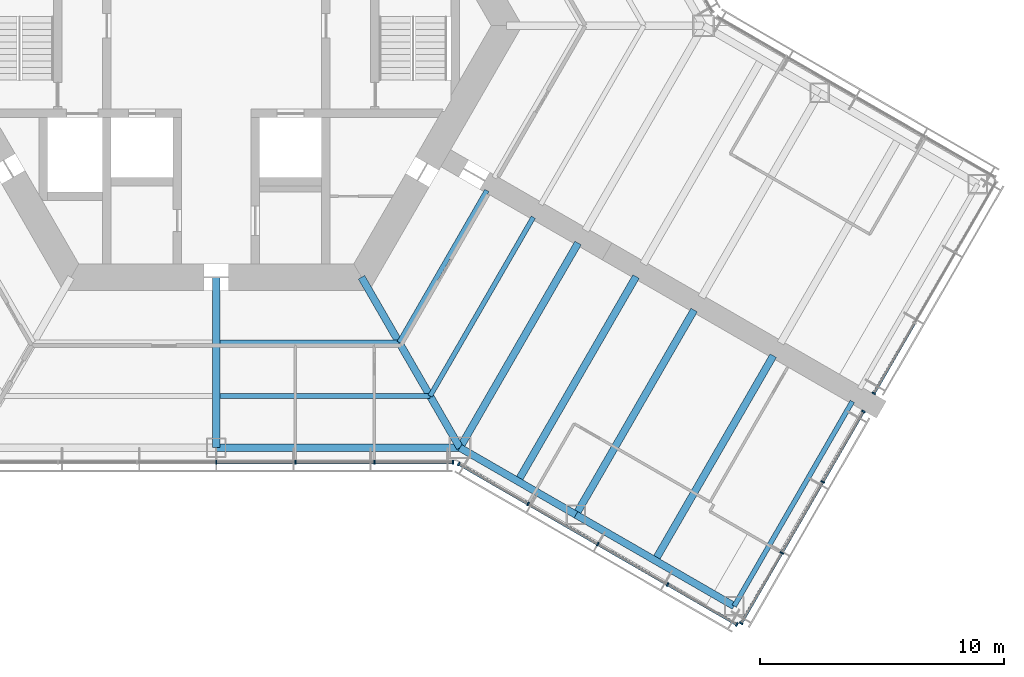
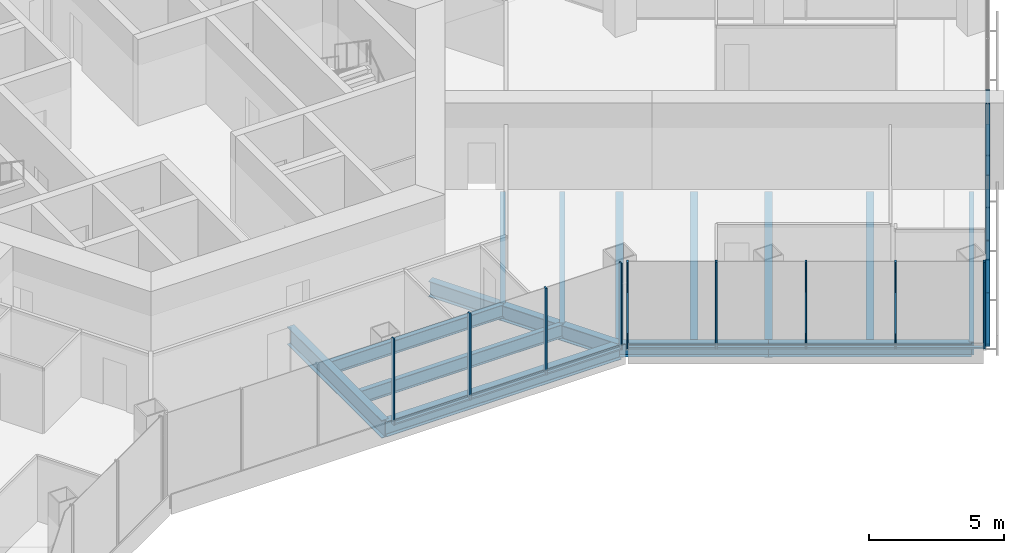
# One storey, part 5 of 18: 25 members, 14 beams, 4 elements without a shape of their own.
"""IFC4 building model written with IfcOpenShell, lengths in metres."""

from ifc_helpers import new_model, si_unit, direction, frame, origin, origin_2d, place, context, subcontext, project, spatial, rectangle, i_section, extrude, material, material_profile, profile_set, type_object, element, aggregate, save


model = new_model("IFC4")

# Units and contexts
model_context = context("Model", 3, precision=1e-05, world=origin(), true_north=direction((0.0, 1.0)))
body_context = subcontext(model_context, "Body", "Model", "MODEL_VIEW")
ifc_project = project(units=[si_unit("LENGTHUNIT", "METRE"), si_unit("AREAUNIT", "SQUARE_METRE"), si_unit("VOLUMEUNIT", "CUBIC_METRE"), si_unit("PLANEANGLEUNIT", "RADIAN"), si_unit("MASSUNIT", "GRAM", prefix="KILO")], contexts=[model_context])

# Site, building, storey
site_placement = place(None, origin())
site = spatial("IfcSite", under=ifc_project, at=site_placement, CompositionType="ELEMENT")
building_placement = place(site_placement, origin())
building = spatial("IfcBuilding", under=site, at=building_placement, Name="Kasaneha Research Tower", CompositionType="ELEMENT")
storey_placement = place(building_placement, frame((0.0, 0.0, 108.0)))
storey = spatial("IfcBuildingStorey", under=building, at=storey_placement, Name="L27", CompositionType="ELEMENT", Elevation=108.0)

# Beams
ifc_material_1 = material(Name="Steel SN490B", Category="steel")
ifc_material_profile_1 = material_profile(ifc_material_1, i_section(OverallWidth=0.199951171875, OverallDepth=0.60009765625, WebThickness=0.010986328125, FlangeThickness=0.01708984375, FilletRadius=0.012939453125, at=origin_2d()), Name="H-600x200x11x17")
ifc_profile_set_1 = profile_set([ifc_material_profile_1], Name="Steel SN490B")
beam_type_1 = type_object("IfcBeamType", Name="B1-3 secondary beam H-600x200x11x17", PredefinedType="JOIST", material=ifc_profile_set_1)
beam_1_placement = place(storey_placement, frame((7.505615234375, -13.0, -0.449951171875), z_axis=(-1.0, 0.0, 0.0), x_axis=(0.0, -1.0, 0.0)))
element("IfcBeam", 1, at=beam_1_placement, inside=storey, type_object=beam_type_1, Name="Secondary beam RS270R1 L27", PredefinedType="JOIST", context=body_context, shape_type="SweptSolid", body=[
    extrude(i_section(OverallWidth=0.199951171875, OverallDepth=0.60009765625, WebThickness=0.010986328125, FlangeThickness=0.01708984375, FilletRadius=0.012939453125, at=origin_2d()), origin(), (0.0, 0.0, 1.0), 7.355712890625),
])
beam_2_placement = place(storey_placement, frame((8.775634765625, -15.199951171875, -0.449951171875), z_axis=(-1.0, 0.0, 0.0), x_axis=(0.0, -1.0, 0.0)))
element("IfcBeam", 2, at=beam_2_placement, inside=storey, type_object=beam_type_1, Name="Secondary beam RS270R2 L27", PredefinedType="JOIST", context=body_context, shape_type="SweptSolid", body=[
    extrude(i_section(OverallWidth=0.199951171875, OverallDepth=0.60009765625, WebThickness=0.010986328125, FlangeThickness=0.01708984375, FilletRadius=0.012939453125, at=origin_2d()), origin(), (0.0, 0.0, 1.0), 8.625732421875),
])
beam_3_placement = place(storey_placement, frame((7.505615234375, -13.0, -0.449951171875), z_axis=(0.499998147991, 0.86602647304, 0.0), x_axis=(-0.86602647304, 0.499998147991, 0.0)))
element("IfcBeam", 3, at=beam_3_placement, inside=storey, type_object=beam_type_1, Name="Secondary beam RS330L1 L27", PredefinedType="JOIST", context=body_context, shape_type="SweptSolid", body=[
    extrude(i_section(OverallWidth=0.199951171875, OverallDepth=0.60009765625, WebThickness=0.010986328125, FlangeThickness=0.01708984375, FilletRadius=0.012939453125, at=origin_2d()), origin(), (0.0, 0.0, 1.0), 7.20556640625),
])
beam_4_placement = place(storey_placement, frame((8.775634765625, -15.199951171875, -0.449951171875), z_axis=(0.500020829043, 0.866013377797, 0.0), x_axis=(-0.866013377797, 0.500020829043, 0.0)))
element("IfcBeam", 4, at=beam_4_placement, inside=storey, type_object=beam_type_1, Name="Secondary beam RS330L2 L27", PredefinedType="JOIST", context=body_context, shape_type="SweptSolid", body=[
    extrude(i_section(OverallWidth=0.199951171875, OverallDepth=0.60009765625, WebThickness=0.010986328125, FlangeThickness=0.01708984375, FilletRadius=0.012939453125, at=origin_2d()), origin(), (0.0, 0.0, 1.0), 8.475830078125),
])
ifc_material_2 = material(Name="Steel SN490B", Category="steel")
ifc_material_profile_2 = material_profile(ifc_material_2, i_section(OverallWidth=0.300048828125, OverallDepth=0.58203125, WebThickness=0.011962890625, FlangeThickness=0.01708984375, FilletRadius=0.012939453125, at=origin_2d()), Name="H-582x300x12x17")
ifc_profile_set_2 = profile_set([ifc_material_profile_2], Name="Steel SN490B")
beam_type_2 = type_object("IfcBeamType", Name="B2-3 secondary beam H-582x300x12x17", PredefinedType="JOIST", material=ifc_profile_set_2)
for number, where, z_axis, x_axis, name in (
    (5, (12.381591796875, -18.695556640625, -0.44091796875), (0.500010041276, 0.866019606374, 0.0), (-0.866019606374, 0.500010041276, 0.0), "Secondary beam WBCP1 L27"),
    (6, (18.0107421875, -21.945556640625, -0.44091796875), (0.500010041276, 0.866019606374, 0.0), (-0.866019606374, 0.500010041276, 0.0), "Secondary beam WBCP2 L27"),
):
    element("IfcBeam", number, at=place(storey_placement, frame(where, z_axis=z_axis, x_axis=x_axis)), inside=storey, type_object=beam_type_2, Name=name, PredefinedType="JOIST", context=body_context, shape_type="SweptSolid", body=[
        extrude(i_section(OverallWidth=0.300048828125, OverallDepth=0.58203125, WebThickness=0.011962890625, FlangeThickness=0.01708984375, FilletRadius=0.012939453125, at=origin_2d()), origin(), (0.0, 0.0, 1.0), 9.699951171875),
    ])

# Curtain wall, members
ifc_material_3 = material(Name="Glass and aluminium", Category="aluminium")
curtain_wall_type = type_object("IfcCurtainWallType", Name="Low-rise office curtain wall", PredefinedType="USERDEFINED", material=ifc_material_3)
curtain_wall_1_placement = place(storey_placement, origin())
curtain_wall_1 = element("IfcCurtainWall", 7, at=curtain_wall_1_placement, inside=storey, type_object=curtain_wall_type, Name="CW-O1 L27 run 02a", ObjectType="UNITISED CURTAIN WALL", PredefinedType="USERDEFINED")
ifc_material_4 = material(Name="Aluminium 6063-T6", Category="aluminium")
ifc_material_profile_3 = material_profile(ifc_material_4, rectangle(XDim=0.06005859375, YDim=0.159912109375, at=origin_2d()), Name="CW-O1 mullion 60x160")
ifc_profile_set_3 = profile_set([ifc_material_profile_3], Name="Aluminium 6063-T6")
member_type_1 = type_object("IfcMemberType", Name="CW-O1 mullion", PredefinedType="MULLION", material=ifc_profile_set_3)
member_1_placement = place(storey_placement, frame((0.0, -17.92041015625, 0.0), z_axis=(0.0, 0.0, 1.0), x_axis=(1.0, 0.0, 0.0)))
member_1 = element("IfcMember", 8, at=member_1_placement, type_object=member_type_1, Name="CW-O1 mullion 4", PredefinedType="MULLION", context=body_context, shape_type="SweptSolid", body=[
    extrude(rectangle(XDim=0.06005859375, YDim=0.159912109375, at=origin_2d()), origin(), (0.0, 0.0, 1.0), 3.89990234375),
])
member_2_placement = place(storey_placement, frame((3.246337890625, -17.92041015625, 0.0), z_axis=(0.0, 0.0, 1.0), x_axis=(1.0, 0.0, 0.0)))
member_2 = element("IfcMember", 9, at=member_2_placement, type_object=member_type_1, Name="CW-O1 mullion 5", PredefinedType="MULLION", context=body_context, shape_type="SweptSolid", body=[
    extrude(rectangle(XDim=0.06005859375, YDim=0.159912109375, at=origin_2d()), origin(), (0.0, 0.0, 1.0), 3.89990234375),
])
member_3_placement = place(storey_placement, frame((6.492919921875, -17.92041015625, 0.0), z_axis=(0.0, 0.0, 1.0), x_axis=(1.0, 0.0, 0.0)))
member_3 = element("IfcMember", 10, at=member_3_placement, type_object=member_type_1, Name="CW-O1 mullion 6", PredefinedType="MULLION", context=body_context, shape_type="SweptSolid", body=[
    extrude(rectangle(XDim=0.06005859375, YDim=0.159912109375, at=origin_2d()), origin(), (0.0, 0.0, 1.0), 3.89990234375),
])
member_4_placement = place(storey_placement, frame((9.709228515625, -17.92041015625, 0.0), z_axis=(0.0, 0.0, 1.0), x_axis=(1.0, 0.0, 0.0)))
member_4 = element("IfcMember", 11, at=member_4_placement, type_object=member_type_1, Name="CW-O1 mullion 7", PredefinedType="MULLION", context=body_context, shape_type="SweptSolid", body=[
    extrude(rectangle(XDim=0.06005859375, YDim=0.159912109375, at=origin_2d()), origin(), (0.0, 0.0, 1.0), 3.89990234375),
])

curtain_wall_2_placement = place(storey_placement, origin())
curtain_wall_2 = element("IfcCurtainWall", 12, at=curtain_wall_2_placement, inside=storey, type_object=curtain_wall_type, Name="CW-O1 L27 run 03a", ObjectType="UNITISED CURTAIN WALL", PredefinedType="USERDEFINED")
member_5_placement = place(storey_placement, frame((9.951904296875, -17.985595703125, 0.0), z_axis=(0.0, 0.0, 1.0), x_axis=(0.866025411464, -0.499999986699, 0.0)))
member_5 = element("IfcMember", 13, at=member_5_placement, type_object=member_type_1, Name="CW-O1 mullion 1", PredefinedType="MULLION", context=body_context, shape_type="SweptSolid", body=[
    extrude(rectangle(XDim=0.06005859375, YDim=0.159912109375, at=origin_2d()), origin(), (0.0, 0.0, 1.0), 3.89990234375),
])
member_6_placement = place(storey_placement, frame((12.792236328125, -19.62548828125, 0.0), z_axis=(0.0, 0.0, 1.0), x_axis=(0.866025411464, -0.499999986699, 0.0)))
member_6 = element("IfcMember", 14, at=member_6_placement, type_object=member_type_1, Name="CW-O1 mullion 2", PredefinedType="MULLION", context=body_context, shape_type="SweptSolid", body=[
    extrude(rectangle(XDim=0.06005859375, YDim=0.159912109375, at=origin_2d()), origin(), (0.0, 0.0, 1.0), 3.89990234375),
])
member_7_placement = place(storey_placement, frame((15.65869140625, -21.2802734375, 0.0), z_axis=(0.0, 0.0, 1.0), x_axis=(0.866025411464, -0.499999986699, 0.0)))
member_7 = element("IfcMember", 15, at=member_7_placement, type_object=member_type_1, Name="CW-O1 mullion 3", PredefinedType="MULLION", context=body_context, shape_type="SweptSolid", body=[
    extrude(rectangle(XDim=0.06005859375, YDim=0.159912109375, at=origin_2d()), origin(), (0.0, 0.0, 1.0), 3.89990234375),
])
member_8_placement = place(storey_placement, frame((18.52490234375, -22.935302734375, 0.0), z_axis=(0.0, 0.0, 1.0), x_axis=(0.866025411464, -0.499999986699, 0.0)))
member_8 = element("IfcMember", 16, at=member_8_placement, type_object=member_type_1, Name="CW-O1 mullion 4", PredefinedType="MULLION", context=body_context, shape_type="SweptSolid", body=[
    extrude(rectangle(XDim=0.06005859375, YDim=0.159912109375, at=origin_2d()), origin(), (0.0, 0.0, 1.0), 3.89990234375),
])
member_9_placement = place(storey_placement, frame((21.365478515625, -24.5751953125, 0.0), z_axis=(0.0, 0.0, 1.0), x_axis=(0.866025411464, -0.499999986699, 0.0)))
member_9 = element("IfcMember", 17, at=member_9_placement, type_object=member_type_1, Name="CW-O1 mullion 5", PredefinedType="MULLION", context=body_context, shape_type="SweptSolid", body=[
    extrude(rectangle(XDim=0.06005859375, YDim=0.159912109375, at=origin_2d()), origin(), (0.0, 0.0, 1.0), 3.89990234375),
])

curtain_wall_3_placement = place(storey_placement, origin())
curtain_wall_3 = element("IfcCurtainWall", 18, at=curtain_wall_3_placement, inside=storey, type_object=curtain_wall_type, Name="CW-O1 L27 run 04a", ObjectType="UNITISED CURTAIN WALL", PredefinedType="USERDEFINED")
member_10_placement = place(storey_placement, frame((21.54296875, -24.527587890625, 0.0), z_axis=(0.0, 0.0, 1.0), x_axis=(0.500000011442, 0.866025397178, 0.0)))
member_10 = element("IfcMember", 19, at=member_10_placement, type_object=member_type_1, Name="CW-O1 mullion 1", PredefinedType="MULLION", context=body_context, shape_type="SweptSolid", body=[
    extrude(rectangle(XDim=0.06005859375, YDim=0.159912109375, at=origin_2d()), origin(), (0.0, 0.0, 1.0), 3.89990234375),
])
member_11_placement = place(storey_placement, frame((23.211181640625, -21.637939453125, 0.0), z_axis=(0.0, 0.0, 1.0), x_axis=(0.500000011442, 0.866025397178, 0.0)))
member_11 = element("IfcMember", 20, at=member_11_placement, type_object=member_type_1, Name="CW-O1 mullion 2", PredefinedType="MULLION", context=body_context, shape_type="SweptSolid", body=[
    extrude(rectangle(XDim=0.06005859375, YDim=0.159912109375, at=origin_2d()), origin(), (0.0, 0.0, 1.0), 3.89990234375),
])
member_12_placement = place(storey_placement, frame((24.89453125, -18.72216796875, 0.0), z_axis=(0.0, 0.0, 1.0), x_axis=(0.500000011442, 0.866025397178, 0.0)))
member_12 = element("IfcMember", 21, at=member_12_placement, type_object=member_type_1, Name="CW-O1 mullion 3", PredefinedType="MULLION", context=body_context, shape_type="SweptSolid", body=[
    extrude(rectangle(XDim=0.06005859375, YDim=0.159912109375, at=origin_2d()), origin(), (0.0, 0.0, 1.0), 3.89990234375),
])
member_13_placement = place(storey_placement, frame((26.56298828125, -15.832763671875, 0.0), z_axis=(0.0, 0.0, 1.0), x_axis=(0.500000011442, 0.866025397178, 0.0)))
member_13 = element("IfcMember", 22, at=member_13_placement, type_object=member_type_1, Name="CW-O1 mullion 4", PredefinedType="MULLION", context=body_context, shape_type="SweptSolid", body=[
    extrude(rectangle(XDim=0.06005859375, YDim=0.159912109375, at=origin_2d()), origin(), (0.0, 0.0, 1.0), 3.89990234375),
])

# Curtain wall, member
curtain_wall_4_placement = place(storey_placement, origin())
curtain_wall_4 = element("IfcCurtainWall", 23, at=curtain_wall_4_placement, inside=storey, type_object=curtain_wall_type, Name="CW-O1 L27 run 05a", ObjectType="UNITISED CURTAIN WALL", PredefinedType="USERDEFINED")
member_14_placement = place(storey_placement, frame((26.992919921875, -15.087890625, 0.0), z_axis=(0.0, 0.0, 1.0), x_axis=(0.500000011442, 0.866025397178, 0.0)))
member_14 = element("IfcMember", 24, at=member_14_placement, type_object=member_type_1, Name="CW-O1 mullion 1", PredefinedType="MULLION", context=body_context, shape_type="SweptSolid", body=[
    extrude(rectangle(XDim=0.06005859375, YDim=0.159912109375, at=origin_2d()), origin(), (0.0, 0.0, 1.0), 3.89990234375),
])

# Member
ifc_material_5 = material(Name="Aluminium 6063-T6", Category="aluminium")
ifc_material_profile_4 = material_profile(ifc_material_5, rectangle(XDim=0.1201171875, YDim=0.06005859375, at=origin_2d()), Name="CW-O1 transom 120x60")
ifc_profile_set_4 = profile_set([ifc_material_profile_4], Name="Aluminium 6063-T6")
member_type_2 = type_object("IfcMemberType", Name="CW-O1 transom", PredefinedType="USERDEFINED", material=ifc_profile_set_4)
member_15_placement = place(storey_placement, frame((0.030029296875, -17.92041015625, 0.030029296875), z_axis=(1.0, 0.0, 0.0), x_axis=(0.0, 1.0, 0.0)))
member_15 = element("IfcMember", 25, at=member_15_placement, type_object=member_type_2, Name="CW-O1 transom 4", ObjectType="TRANSOM", PredefinedType="USERDEFINED", context=body_context, shape_type="SweptSolid", body=[
    extrude(rectangle(XDim=0.1201171875, YDim=0.06005859375, at=origin_2d()), origin(), (0.0, 0.0, 1.0), 3.186279296875),
])

member_16_placement = place(storey_placement, frame((3.2763671875, -17.92041015625, 0.030029296875), z_axis=(1.0, 0.0, 0.0), x_axis=(0.0, 1.0, 0.0)))
member_16 = element("IfcMember", 26, at=member_16_placement, type_object=member_type_2, Name="CW-O1 transom 5", ObjectType="TRANSOM", PredefinedType="USERDEFINED", context=body_context, shape_type="SweptSolid", body=[
    extrude(rectangle(XDim=0.1201171875, YDim=0.06005859375, at=origin_2d()), origin(), (0.0, 0.0, 1.0), 3.1865234375),
])

member_17_placement = place(storey_placement, frame((6.522705078125, -17.92041015625, 0.030029296875), z_axis=(1.0, 0.0, 0.0), x_axis=(0.0, 1.0, 0.0)))
member_17 = element("IfcMember", 27, at=member_17_placement, type_object=member_type_2, Name="CW-O1 transom 6", ObjectType="TRANSOM", PredefinedType="USERDEFINED", context=body_context, shape_type="SweptSolid", body=[
    extrude(rectangle(XDim=0.1201171875, YDim=0.06005859375, at=origin_2d()), origin(), (0.0, 0.0, 1.0), 3.156494140625),
])

aggregate(curtain_wall_1, [member_1, member_2, member_3, member_4, member_15, member_16, member_17])

member_18_placement = place(storey_placement, frame((9.977783203125, -18.00048828125, 0.030029296875), z_axis=(0.866022692473, -0.500004696101, 0.0), x_axis=(0.500004696101, 0.866022692473, 0.0)))
member_18 = element("IfcMember", 28, at=member_18_placement, type_object=member_type_2, Name="CW-O1 transom 1", ObjectType="TRANSOM", PredefinedType="USERDEFINED", context=body_context, shape_type="SweptSolid", body=[
    extrude(rectangle(XDim=0.1201171875, YDim=0.06005859375, at=origin_2d()), origin(), (0.0, 0.0, 1.0), 3.2197265625),
])

member_19_placement = place(storey_placement, frame((12.818115234375, -19.640380859375, 0.030029296875), z_axis=(0.866015446554, -0.500017246033, 0.0), x_axis=(0.500017246033, 0.866015446554, 0.0)))
member_19 = element("IfcMember", 29, at=member_19_placement, type_object=member_type_2, Name="CW-O1 transom 2", ObjectType="TRANSOM", PredefinedType="USERDEFINED", context=body_context, shape_type="SweptSolid", body=[
    extrude(rectangle(XDim=0.1201171875, YDim=0.06005859375, at=origin_2d()), origin(), (0.0, 0.0, 1.0), 3.25),
])

member_20_placement = place(storey_placement, frame((15.6845703125, -21.29541015625, 0.030029296875), z_axis=(0.86604797581, -0.499960902066, 0.0), x_axis=(0.499960902066, 0.86604797581, 0.0)))
member_20 = element("IfcMember", 30, at=member_20_placement, type_object=member_type_2, Name="CW-O1 transom 3", ObjectType="TRANSOM", PredefinedType="USERDEFINED", context=body_context, shape_type="SweptSolid", body=[
    extrude(rectangle(XDim=0.1201171875, YDim=0.06005859375, at=origin_2d()), origin(), (0.0, 0.0, 1.0), 3.249755859375),
])

member_21_placement = place(storey_placement, frame((18.551025390625, -22.9501953125, 0.030029296875), z_axis=(0.866022692473, -0.500004696101, 0.0), x_axis=(0.500004696101, 0.866022692473, 0.0)))
member_21 = element("IfcMember", 31, at=member_21_placement, type_object=member_type_2, Name="CW-O1 transom 4", ObjectType="TRANSOM", PredefinedType="USERDEFINED", context=body_context, shape_type="SweptSolid", body=[
    extrude(rectangle(XDim=0.1201171875, YDim=0.06005859375, at=origin_2d()), origin(), (0.0, 0.0, 1.0), 3.2197265625),
])

aggregate(curtain_wall_2, [member_5, member_6, member_7, member_8, member_9, member_18, member_19, member_20, member_21])

member_22_placement = place(storey_placement, frame((21.557861328125, -24.50146484375, 0.030029296875), z_axis=(0.500025583411, 0.866010632691, 0.0), x_axis=(-0.866010632691, 0.500025583411, 0.0)))
member_22 = element("IfcMember", 32, at=member_22_placement, type_object=member_type_2, Name="CW-O1 transom 1", ObjectType="TRANSOM", PredefinedType="USERDEFINED", context=body_context, shape_type="SweptSolid", body=[
    extrude(rectangle(XDim=0.1201171875, YDim=0.06005859375, at=origin_2d()), origin(), (0.0, 0.0, 1.0), 3.276611328125),
])

member_23_placement = place(storey_placement, frame((23.226318359375, -21.61181640625, 0.030029296875), z_axis=(0.500014325468, 0.866017132814, 0.0), x_axis=(-0.866017132814, 0.500014325468, 0.0)))
member_23 = element("IfcMember", 33, at=member_23_placement, type_object=member_type_2, Name="CW-O1 transom 2", ObjectType="TRANSOM", PredefinedType="USERDEFINED", context=body_context, shape_type="SweptSolid", body=[
    extrude(rectangle(XDim=0.1201171875, YDim=0.06005859375, at=origin_2d()), origin(), (0.0, 0.0, 1.0), 3.306640625),
])

member_24_placement = place(storey_placement, frame((24.90966796875, -18.6962890625, 0.030029296875), z_axis=(0.499969700927, 0.866042896256, 0.0), x_axis=(-0.866042896256, 0.499969700927, 0.0)))
member_24 = element("IfcMember", 34, at=member_24_placement, type_object=member_type_2, Name="CW-O1 transom 3", ObjectType="TRANSOM", PredefinedType="USERDEFINED", context=body_context, shape_type="SweptSolid", body=[
    extrude(rectangle(XDim=0.1201171875, YDim=0.06005859375, at=origin_2d()), origin(), (0.0, 0.0, 1.0), 3.276611328125),
])

aggregate(curtain_wall_3, [member_10, member_11, member_12, member_13, member_22, member_23, member_24])

member_25_placement = place(storey_placement, frame((27.008056640625, -15.061767578125, 0.030029296875), z_axis=(0.499969700927, 0.866042896256, 0.0), x_axis=(-0.866042896256, 0.499969700927, 0.0)))
member_25 = element("IfcMember", 35, at=member_25_placement, type_object=member_type_2, Name="CW-O1 transom 1", ObjectType="TRANSOM", PredefinedType="USERDEFINED", context=body_context, shape_type="SweptSolid", body=[
    extrude(rectangle(XDim=0.1201171875, YDim=0.06005859375, at=origin_2d()), origin(), (0.0, 0.0, 1.0), 3.276611328125),
])

aggregate(curtain_wall_4, [member_14, member_25])

# Beams
ifc_material_6 = material(Name="Steel SN490B", Category="steel")
ifc_material_profile_5 = material_profile(ifc_material_6, i_section(OverallWidth=0.300048828125, OverallDepth=0.699951171875, WebThickness=0.012939453125, FlangeThickness=0.02392578125, FilletRadius=0.01806640625, at=origin_2d()), Name="H-700x300x13x24")
ifc_profile_set_5 = profile_set([ifc_material_profile_5], Name="Steel SN490B")
beam_type_3 = type_object("IfcBeamType", Name="G1-3 radial girder H-700x300x13x24", PredefinedType="BEAM", material=ifc_profile_set_5)
beam_5_placement = place(storey_placement, frame((5.961181640625, -10.324951171875, -0.5), z_axis=(0.49999105496, -0.866030568144, 0.0), x_axis=(0.866030568144, 0.49999105496, 0.0)))
element("IfcBeam", 36, at=beam_5_placement, inside=storey, type_object=beam_type_3, Name="Radial girder RV300 L27", PredefinedType="BEAM", context=body_context, shape_type="SweptSolid", body=[
    extrude(i_section(OverallWidth=0.300048828125, OverallDepth=0.699951171875, WebThickness=0.012939453125, FlangeThickness=0.02392578125, FilletRadius=0.01806640625, at=origin_2d()), origin(), (0.0, 0.0, 1.0), 8.077880859375),
])
ifc_material_7 = material(Name="Steel SN490B", Category="steel")
ifc_material_profile_6 = material_profile(ifc_material_7, i_section(OverallWidth=0.300048828125, OverallDepth=0.800048828125, WebThickness=0.013916015625, FlangeThickness=0.02587890625, FilletRadius=0.01806640625, at=origin_2d()), Name="H-800x300x14x26")
ifc_profile_set_6 = profile_set([ifc_material_profile_6], Name="Steel SN490B")
beam_type_4 = type_object("IfcBeamType", Name="G2-3 radial girder H-800x300x14x26", PredefinedType="BEAM", material=ifc_profile_set_6)
beam_6_placement = place(storey_placement, frame((0.0, -10.324951171875, -0.550048828125), z_axis=(0.0, -1.0, 0.0), x_axis=(1.0, 0.0, 0.0)))
element("IfcBeam", 37, at=beam_6_placement, inside=storey, type_object=beam_type_4, Name="Radial girder RM270 L27", PredefinedType="BEAM", context=body_context, shape_type="SweptSolid", body=[
    extrude(i_section(OverallWidth=0.300048828125, OverallDepth=0.800048828125, WebThickness=0.013916015625, FlangeThickness=0.02587890625, FilletRadius=0.01806640625, at=origin_2d()), origin(), (0.0, 0.0, 1.0), 6.99560546875),
])
ifc_material_8 = material(Name="Steel SN490B", Category="steel")
ifc_material_profile_7 = material_profile(ifc_material_8, i_section(OverallWidth=0.300048828125, OverallDepth=0.69189453125, WebThickness=0.012939453125, FlangeThickness=0.02001953125, FilletRadius=0.01806640625, at=origin_2d()), Name="H-692x300x13x20")
ifc_profile_set_7 = profile_set([ifc_material_profile_7], Name="Steel SN490B")
beam_type_5 = type_object("IfcBeamType", Name="G3-3 plate edge girder H-692x300x13x20", PredefinedType="BEAM", material=ifc_profile_set_7)
beam_7_placement = place(storey_placement, frame((10.0, -17.320556640625, -0.49609375), z_axis=(0.500010041276, 0.866019606374, 0.0), x_axis=(-0.866019606374, 0.500010041276, 0.0)))
element("IfcBeam", 38, at=beam_7_placement, inside=storey, type_object=beam_type_5, Name="Plate edge girder PECP L27", PredefinedType="BEAM", context=body_context, shape_type="SweptSolid", body=[
    extrude(i_section(OverallWidth=0.300048828125, OverallDepth=0.69189453125, WebThickness=0.012939453125, FlangeThickness=0.02001953125, FilletRadius=0.01806640625, at=origin_2d()), origin(), (0.0, 0.0, 1.0), 9.699951171875),
])
ifc_material_9 = material(Name="Steel SN490B", Category="steel")
ifc_material_profile_8 = material_profile(ifc_material_9, i_section(OverallWidth=0.300048828125, OverallDepth=0.699951171875, WebThickness=0.012939453125, FlangeThickness=0.02392578125, FilletRadius=0.01806640625, at=origin_2d()), Name="H-700x300x13x24")
ifc_profile_set_8 = profile_set([ifc_material_profile_8], Name="Steel SN490B")
beam_type_6 = type_object("IfcBeamType", Name="G4-3 wing girder H-700x300x13x24", PredefinedType="BEAM", material=ifc_profile_set_8)
beam_8_placement = place(storey_placement, frame((14.76318359375, -20.070556640625, -0.5), z_axis=(0.499991164321, 0.866030505006, 0.0), x_axis=(-0.866030505006, 0.499991164321, 0.0)))
element("IfcBeam", 39, at=beam_8_placement, inside=storey, type_object=beam_type_6, Name="Wing girder WGCP L27", PredefinedType="BEAM", context=body_context, shape_type="SweptSolid", body=[
    extrude(i_section(OverallWidth=0.300048828125, OverallDepth=0.699951171875, WebThickness=0.012939453125, FlangeThickness=0.02392578125, FilletRadius=0.01806640625, at=origin_2d()), origin(), (0.0, 0.0, 1.0), 9.699951171875),
])
ifc_material_10 = material(Name="Steel SN490B", Category="steel")
ifc_material_profile_9 = material_profile(ifc_material_10, i_section(OverallWidth=0.300048828125, OverallDepth=0.69189453125, WebThickness=0.012939453125, FlangeThickness=0.02001953125, FilletRadius=0.01806640625, at=origin_2d()), Name="H-692x300x13x20")
ifc_profile_set_9 = profile_set([ifc_material_profile_9], Name="Steel SN490B")
beam_type_7 = type_object("IfcBeamType", Name="SB1-3 spandrel beam H-692x300x13x20", PredefinedType="SPANDREL", material=ifc_profile_set_9)
beam_9_placement = place(storey_placement, frame((10.0, -17.320556640625, -0.49609375), z_axis=(-1.0, 0.0, 0.0), x_axis=(0.0, -1.0, 0.0)))
element("IfcBeam", 40, at=beam_9_placement, inside=storey, type_object=beam_type_7, Name="Spandrel beam SR270R L27", PredefinedType="SPANDREL", context=body_context, shape_type="SweptSolid", body=[
    extrude(i_section(OverallWidth=0.300048828125, OverallDepth=0.69189453125, WebThickness=0.012939453125, FlangeThickness=0.02001953125, FilletRadius=0.01806640625, at=origin_2d()), origin(), (0.0, 0.0, 1.0), 10.0),
])
ifc_material_11 = material(Name="Steel SN490B", Category="steel")
ifc_material_profile_10 = material_profile(ifc_material_11, i_section(OverallWidth=0.300048828125, OverallDepth=0.58203125, WebThickness=0.011962890625, FlangeThickness=0.01708984375, FilletRadius=0.012939453125, at=origin_2d()), Name="H-582x300x12x17")
ifc_profile_set_10 = profile_set([ifc_material_profile_10], Name="Steel SN490B")
beam_type_8 = type_object("IfcBeamType", Name="SB2-3 spandrel beam H-582x300x12x17", PredefinedType="SPANDREL", material=ifc_profile_set_10)
beam_10_placement = place(storey_placement, frame((10.0, -17.320556640625, -0.44091796875), z_axis=(0.866027397988, -0.499996545922, 0.0), x_axis=(0.499996545922, 0.866027397988, 0.0)))
element("IfcBeam", 41, at=beam_10_placement, inside=storey, type_object=beam_type_8, Name="Spandrel beam WSCP1 L27", PredefinedType="SPANDREL", context=body_context, shape_type="SweptSolid", body=[
    extrude(i_section(OverallWidth=0.300048828125, OverallDepth=0.58203125, WebThickness=0.011962890625, FlangeThickness=0.01708984375, FilletRadius=0.012939453125, at=origin_2d()), origin(), (0.0, 0.0, 1.0), 5.5),
])
beam_11_placement = place(storey_placement, frame((14.76318359375, -20.070556640625, -0.44091796875), z_axis=(0.866022959057, -0.500004234368, 0.0), x_axis=(0.500004234368, 0.866022959057, 0.0)))
element("IfcBeam", 42, at=beam_11_placement, inside=storey, type_object=beam_type_8, Name="Spandrel beam WSCP2 L27", PredefinedType="SPANDREL", context=body_context, shape_type="SweptSolid", body=[
    extrude(i_section(OverallWidth=0.300048828125, OverallDepth=0.58203125, WebThickness=0.011962890625, FlangeThickness=0.01708984375, FilletRadius=0.012939453125, at=origin_2d()), origin(), (0.0, 0.0, 1.0), 7.5),
])
ifc_material_12 = material(Name="Steel SN490B", Category="steel")
ifc_material_profile_11 = material_profile(ifc_material_12, i_section(OverallWidth=0.199951171875, OverallDepth=0.60009765625, WebThickness=0.010986328125, FlangeThickness=0.01708984375, FilletRadius=0.012939453125, at=origin_2d()), Name="H-600x200x11x17")
ifc_profile_set_11 = profile_set([ifc_material_profile_11], Name="Steel SN490B")
beam_type_9 = type_object("IfcBeamType", Name="SB3-3 spandrel beam H-600x200x11x17", PredefinedType="SPANDREL", material=ifc_profile_set_11)
beam_12_placement = place(storey_placement, frame((21.25830078125, -23.820556640625, -0.449951171875), z_axis=(0.500010041276, 0.866019606374, 0.0), x_axis=(-0.866019606374, 0.500010041276, 0.0)))
element("IfcBeam", 43, at=beam_12_placement, inside=storey, type_object=beam_type_9, Name="Spandrel beam WTCP L27", PredefinedType="SPANDREL", context=body_context, shape_type="SweptSolid", body=[
    extrude(i_section(OverallWidth=0.199951171875, OverallDepth=0.60009765625, WebThickness=0.010986328125, FlangeThickness=0.01708984375, FilletRadius=0.012939453125, at=origin_2d()), origin(), (0.0, 0.0, 1.0), 9.699951171875),
])

save(model, "model.ifc")
